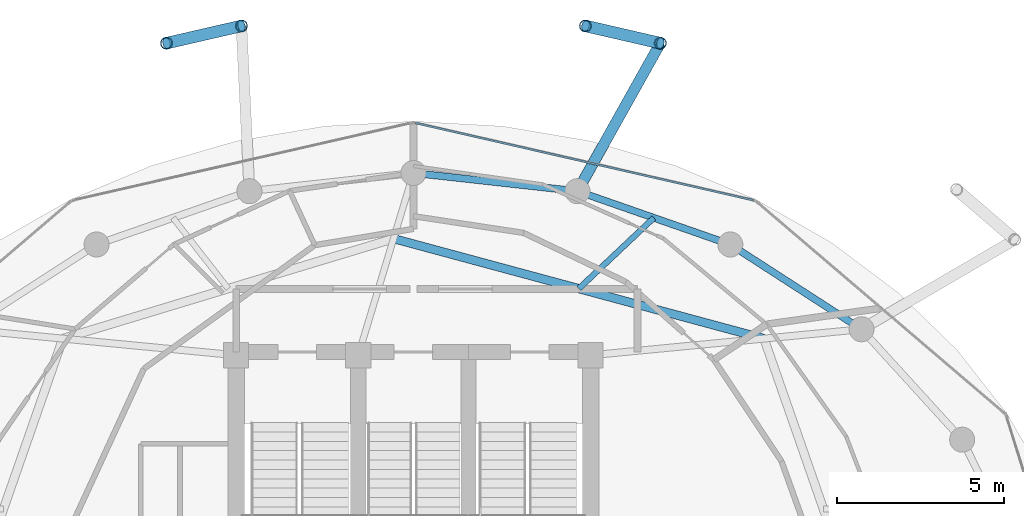
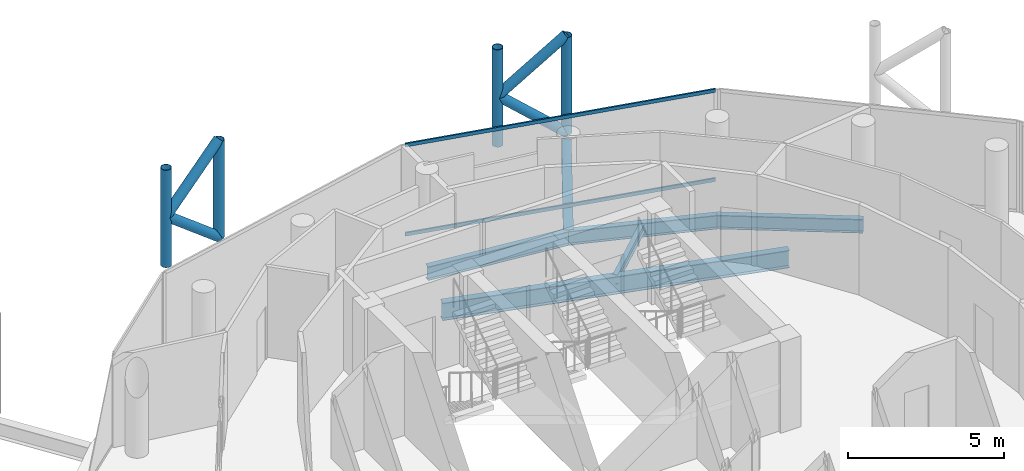
# One storey, part 17 of 24: 10 members, 6 beams, 1 element without a shape of its own.
"""IFC4 building model written with IfcOpenShell, lengths in metres."""

import ifcopenshell
import ifcopenshell.guid

model = None  # the IFC model being written
_history = None  # IfcOwnerHistory: only IFC2X3 demands one
_inside = {}  # id of a spatial element -> (the spatial element, [elements in it])
_under = {}  # id of a project, library or spatial element -> (it, [spatial elements below it])
_declared = {}  # id of a project -> (the project, [libraries it declares])
_typed = {}  # id of a type object -> (the type object, [elements of that type])
_made_of = {}  # id of a material, layer set ... -> (it, [elements and type objects made of it])


def new_model(schema):
    """Start an empty IFC model of exactly this schema.

    Asked for "IFC4X3", IfcOpenShell would pick the latest addendum, in which some entities
    have other attributes; the version numbers below select the first issue.
    IFC2X3 requires an IfcOwnerHistory on every rooted entity: one is made here for all.
    """
    global model, _history
    if schema == "IFC4X3":
        model = ifcopenshell.file(schema_version=(4, 3, 0, 0))
    else:
        model = ifcopenshell.file(schema=schema)
    _inside.clear()
    _under.clear()
    _declared.clear()
    _typed.clear()
    _made_of.clear()
    _history = None
    if model.schema == "IFC2X3":
        org = make("IfcOrganization", Name="unknown")
        user = make(
            "IfcPersonAndOrganization",
            ThePerson=make("IfcPerson", FamilyName="unknown"),
            TheOrganization=org,
        )
        app = make(
            "IfcApplication",
            ApplicationDeveloper=org,
            Version="unknown",
            ApplicationFullName="unknown",
            ApplicationIdentifier="unknown",
        )
        _history = make(
            "IfcOwnerHistory",
            OwningUser=user,
            OwningApplication=app,
            ChangeAction="ADDED",
            CreationDate=0,
        )
    return model


def make(cls, **values):
    """One entity of the class cls with the attributes given. An attribute that is None is left unset."""
    return model.create_entity(
        cls, **{name: value for name, value in values.items() if value is not None}
    )


def rooted(cls, **values):
    """An entity with a GlobalId (a new one), such as an element, a storey or a relation."""
    return make(cls, GlobalId=ifcopenshell.guid.new(), OwnerHistory=_history, **values)


def si_unit(unit_type, name, prefix=None):
    """IfcSIUnit, for example si_unit("LENGTHUNIT", "METRE", prefix="MILLI")."""
    return make("IfcSIUnit", UnitType=unit_type, Prefix=prefix, Name=name)


def assignment(units):
    """IfcUnitAssignment: the units of a project."""
    return None if units is None else make("IfcUnitAssignment", Units=units)


def point(xyz):
    """IfcCartesianPoint."""
    return None if xyz is None else make("IfcCartesianPoint", Coordinates=xyz)


def direction(xyz):
    """IfcDirection."""
    return None if xyz is None else make("IfcDirection", DirectionRatios=xyz)


def frame(location, z_axis=None, x_axis=None):
    """IfcAxis2Placement3D, a coordinate frame: its origin and axes. An axis left out is left unset."""
    return make(
        "IfcAxis2Placement3D",
        Location=point(location),
        Axis=direction(z_axis),
        RefDirection=direction(x_axis),
    )


def frame_2d(location, x_axis=None):
    """IfcAxis2Placement2D, a coordinate frame in the plane: its origin and x axis."""
    return make(
        "IfcAxis2Placement2D", Location=point(location), RefDirection=direction(x_axis)
    )


def origin():
    """The frame at (0, 0, 0) with its axes left unset."""
    return frame((0.0, 0.0, 0.0))


def origin_2d():
    """The frame at (0, 0) in the plane with its x axis left unset."""
    return frame_2d((0.0, 0.0))


def place(relative_to, where):
    """IfcLocalPlacement: puts the frame where relative to a parent placement (None: the world)."""
    return make(
        "IfcLocalPlacement", PlacementRelTo=relative_to, RelativePlacement=where
    )


def context(
    kind, dimensions, precision=None, world=None, true_north=None, identifier=None
):
    """IfcGeometricRepresentationContext, for example the 3D "Model" context."""
    return make(
        "IfcGeometricRepresentationContext",
        ContextIdentifier=identifier,
        ContextType=kind,
        CoordinateSpaceDimension=dimensions,
        Precision=precision,
        WorldCoordinateSystem=world,
        TrueNorth=true_north,
    )


def subcontext(parent, identifier, kind, view, scale=None):
    """IfcGeometricRepresentationSubContext, for example "Body" below "Model"."""
    return make(
        "IfcGeometricRepresentationSubContext",
        ContextIdentifier=identifier,
        ContextType=kind,
        ParentContext=parent,
        TargetScale=scale,
        TargetView=view,
    )


def project(units=None, contexts=None):
    """IfcProject with its units and contexts."""
    return rooted(
        "IfcProject",
        Name="project",
        RepresentationContexts=contexts,
        UnitsInContext=assignment(units),
    )


def spatial(cls, under=None, at=None, **own):
    """A site, building, storey or space (cls), placed at a placement, below another one or the project."""
    s = rooted(cls, ObjectPlacement=at, **own)
    if under is not None:
        _under.setdefault(under.id(), (under, []))[1].append(s)
    return s


def profile(cls, at=None, kind="AREA", **sizes):
    """A parametric profile (cls). Its sizes go by their IFC names, for example OverallWidth=200.0."""
    return make(cls, ProfileType=kind, Position=at, **sizes)


def hollow_rectangle(**sizes):
    """IfcRectangleHollowProfileDef."""
    return profile("IfcRectangleHollowProfileDef", **sizes)


def hollow_circle(**sizes):
    """IfcCircleHollowProfileDef."""
    return profile("IfcCircleHollowProfileDef", **sizes)


def i_section(**sizes):
    """IfcIShapeProfileDef."""
    return profile("IfcIShapeProfileDef", **sizes)


def extrude(swept, where, along, depth):
    """IfcExtrudedAreaSolid: the profile swept, set in the frame where, extruded along a direction by depth."""
    return make(
        "IfcExtrudedAreaSolid",
        SweptArea=swept,
        Position=where,
        ExtrudedDirection=direction(along),
        Depth=depth,
    )


def shape(context_of_items, identifier, shape_type, items):
    """IfcShapeRepresentation: the items that make up one representation, for example the "Body"."""
    return make(
        "IfcShapeRepresentation",
        ContextOfItems=context_of_items,
        RepresentationIdentifier=identifier,
        RepresentationType=shape_type,
        Items=items,
    )


def material(Name=None, Category=None):
    """IfcMaterial."""
    return make("IfcMaterial", Name=Name, Category=Category)


def layer(
    of_material, thickness, ventilated=None, Name=None, Category=None, Priority=None
):
    """IfcMaterialLayer: one layer of a wall or slab, of a material (None: an air gap)."""
    return make(
        "IfcMaterialLayer",
        Material=of_material,
        LayerThickness=thickness,
        IsVentilated=ventilated,
        Name=Name,
        Category=Category,
        Priority=Priority,
    )


def layer_set(layers, Name=None):
    """IfcMaterialLayerSet."""
    return make("IfcMaterialLayerSet", MaterialLayers=layers, LayerSetName=Name)


def material_profile(
    of_material, cross_section, Name=None, Category=None, Priority=None
):
    """IfcMaterialProfile: a cross section and its material."""
    return make(
        "IfcMaterialProfile",
        Name=Name,
        Material=of_material,
        Profile=cross_section,
        Priority=Priority,
        Category=Category,
    )


def profile_set(profiles, Name=None, composite=None):
    """IfcMaterialProfileSet."""
    return make(
        "IfcMaterialProfileSet",
        Name=Name,
        MaterialProfiles=profiles,
        CompositeProfile=composite,
    )


def made_of(thing, what):
    """Note that an element or type object is made of a material, layer set ...; save() writes the relation."""
    if what is not None:
        _made_of.setdefault(what.id(), (what, []))[1].append(thing)
    return thing


def type_object(cls, material=None, **own):
    """A type object (cls), such as IfcWallType, which elements share."""
    return made_of(rooted(cls, **own), material)


def element(
    cls,
    number,
    at=None,
    inside=None,
    cuts=None,
    type_object=None,
    material=None,
    context=None,
    identifier="Body",
    shape_type=None,
    held_by="IfcProductDefinitionShape",
    body=None,
    shapes=None,
    **own,
):
    """One element of the class cls, such as IfcWall. Its Tag is "e" and its number.

    at: its placement. inside: the storey or other place that contains it. cuts: it is an
    opening in that element (IfcRelVoidsElement). A single representation is given by context,
    identifier, shape_type and body (its items); several are given by shapes. held_by: the class
    of the entity that holds the representations. save() writes the other relations.
    """
    e = rooted(cls, Tag="e%d" % number, ObjectPlacement=at, **own)
    if body is not None:
        shapes = [shape(context, identifier, shape_type, body)]
    if shapes is not None:
        e.Representation = make(held_by, Representations=shapes)
    if inside is not None:
        _inside.setdefault(inside.id(), (inside, []))[1].append(e)
    if cuts is not None:
        rooted(
            "IfcRelVoidsElement", RelatingBuildingElement=cuts, RelatedOpeningElement=e
        )
    if type_object is not None:
        _typed.setdefault(type_object.id(), (type_object, []))[1].append(e)
    return made_of(e, material)


def aggregate(whole, parts):
    """IfcRelAggregates: a whole, such as a stair, and the parts it consists of."""
    return rooted("IfcRelAggregates", RelatingObject=whole, RelatedObjects=parts)


def save(model, path):
    """Write the relations noted so far, then the file.

    IfcRelAggregates (storeys below a building ...), IfcRelContainedInSpatialStructure (elements
    in a storey), IfcRelDefinesByType, IfcRelAssociatesMaterial and IfcRelDeclares: one each for
    every whole, place, type object, material and project.
    """
    for whole, parts in _under.values():
        aggregate(whole, parts)
    for where, things in _inside.values():
        rooted(
            "IfcRelContainedInSpatialStructure",
            RelatedElements=things,
            RelatingStructure=where,
        )
    for kind, things in _typed.values():
        rooted("IfcRelDefinesByType", RelatedObjects=things, RelatingType=kind)
    for what, things in _made_of.values():
        rooted("IfcRelAssociatesMaterial", RelatedObjects=things, RelatingMaterial=what)
    for by, libraries in _declared.values():
        rooted("IfcRelDeclares", RelatingContext=by, RelatedDefinitions=libraries)
    model.write(path)


model = new_model("IFC4")

# Units and contexts
model_context = context("Model", 3, precision=1e-05, world=origin(), true_north=direction((0.0, 1.0)))
body_context = subcontext(model_context, "Body", "Model", "MODEL_VIEW")
ifc_project = project(units=[si_unit("LENGTHUNIT", "METRE"), si_unit("AREAUNIT", "SQUARE_METRE"), si_unit("VOLUMEUNIT", "CUBIC_METRE"), si_unit("PLANEANGLEUNIT", "RADIAN"), si_unit("MASSUNIT", "GRAM", prefix="KILO")], contexts=[model_context])

# Site, building, storey
site_placement = place(None, origin())
site = spatial("IfcSite", under=ifc_project, at=site_placement, CompositionType="ELEMENT")
building_placement = place(site_placement, origin())
building = spatial("IfcBuilding", under=site, at=building_placement, Name="Nuhasar Tower", CompositionType="ELEMENT")
storey_placement = place(building_placement, frame((0.0, 0.0, 270.800048828125)))
storey = spatial("IfcBuildingStorey", under=building, at=storey_placement, Name="L67", CompositionType="ELEMENT", Elevation=270.800048828125)

# Beams
ifc_material_1 = material(Name="Steel S355", Category="steel")
ifc_material_profile_1 = material_profile(ifc_material_1, i_section(OverallWidth=0.25390625, OverallDepth=0.68408203125, WebThickness=0.012451171875, FlangeThickness=0.018798828125, at=origin_2d()), Name="W27X94")
ifc_profile_set_1 = profile_set([ifc_material_profile_1], Name="Steel S355")
beam_type_1 = type_object("IfcBeamType", Name="BM-INRING-W27X94", PredefinedType="BEAM", material=ifc_profile_set_1)
beam_1_placement = place(storey_placement, frame((49.48388671875, 37.798095703125, -0.60205078125), z_axis=(-0.965451835482, 0.260581567584, 0.0), x_axis=(-0.260581567584, -0.965451835482, 0.0)))
element("IfcBeam", 1, at=beam_1_placement, inside=storey, type_object=beam_type_1, Name="L67 Inner Header Beam 05", PredefinedType="BEAM", context=body_context, shape_type="SweptSolid", body=[
    extrude(i_section(OverallWidth=0.25390625, OverallDepth=0.68408203125, WebThickness=0.012451171875, FlangeThickness=0.018798828125, at=origin_2d()), origin(), (0.0, 0.0, 1.0), 11.474365234375),
])
ifc_material_profile_2 = material_profile(ifc_material_1, i_section(OverallWidth=0.1708984375, OverallDepth=0.35205078125, WebThickness=0.0068359375, FlangeThickness=0.009765625, at=origin_2d()), Name="W14X30")
ifc_profile_set_2 = profile_set([ifc_material_profile_2], Name="Steel S355")
beam_type_2 = type_object("IfcBeamType", Name="BM-JST-W14X30", PredefinedType="JOIST", material=ifc_profile_set_2)
beam_2_placement = place(storey_placement, frame((43.945068359375, 39.29296875, -0.43603515625), z_axis=(0.727532985224, 0.686072704173, 0.0), x_axis=(-0.686072704173, 0.727532985224, 0.0)))
element("IfcBeam", 2, at=beam_2_placement, inside=storey, type_object=beam_type_2, Name="L67 Secondary Floor Joist 05", PredefinedType="JOIST", context=body_context, shape_type="SweptSolid", body=[
    extrude(i_section(OverallWidth=0.1708984375, OverallDepth=0.35205078125, WebThickness=0.0068359375, FlangeThickness=0.009765625, at=origin_2d()), origin(), (0.0, 0.0, 1.0), 3.085693359375),
])
ifc_material_profile_3 = material_profile(ifc_material_1, i_section(OverallWidth=0.2099609375, OverallDepth=0.537109375, WebThickness=0.010986328125, FlangeThickness=0.017333984375, at=origin_2d()), Name="W21X68")
ifc_profile_set_3 = profile_set([ifc_material_profile_3], Name="Steel S355")
beam_type_3 = type_object("IfcBeamType", Name="BM-RING-W21X68", PredefinedType="SPANDREL", material=ifc_profile_set_3)
beam_3_placement = place(storey_placement, frame((52.39990234375, 38.077880859375, -0.528076171875), z_axis=(-0.840001671147, 0.54258381147, 0.0), x_axis=(-0.54258381147, -0.840001671147, 0.0)))
element("IfcBeam", 3, at=beam_3_placement, inside=storey, type_object=beam_type_3, Name="L67 Perimeter Ring Spandrel 04", PredefinedType="SPANDREL", context=body_context, shape_type="SweptSolid", body=[
    extrude(i_section(OverallWidth=0.2099609375, OverallDepth=0.537109375, WebThickness=0.010986328125, FlangeThickness=0.017333984375, at=origin_2d()), origin(), (0.0, 0.0, 1.0), 4.67236328125),
])
beam_4_placement = place(storey_placement, frame((48.47509765625, 40.613037109375, -0.528076171875), z_axis=(-0.944214043504, 0.329332415729, 0.0), x_axis=(-0.329332415729, -0.944214043504, 0.0)))
element("IfcBeam", 4, at=beam_4_placement, inside=storey, type_object=beam_type_3, Name="L67 Perimeter Ring Spandrel 05", PredefinedType="SPANDREL", context=body_context, shape_type="SweptSolid", body=[
    extrude(i_section(OverallWidth=0.2099609375, OverallDepth=0.537109375, WebThickness=0.010986328125, FlangeThickness=0.017333984375, at=origin_2d()), origin(), (0.0, 0.0, 1.0), 4.840087890625),
])
beam_5_placement = place(storey_placement, frame((43.905029296875, 42.20703125, -0.528076171875), z_axis=(-0.99392889943, 0.110024283128, 0.0), x_axis=(-0.110024283128, -0.99392889943, 0.0)))
element("IfcBeam", 5, at=beam_5_placement, inside=storey, type_object=beam_type_3, Name="L67 Perimeter Ring Spandrel 06", PredefinedType="SPANDREL", context=body_context, shape_type="SweptSolid", body=[
    extrude(i_section(OverallWidth=0.2099609375, OverallDepth=0.537109375, WebThickness=0.010986328125, FlangeThickness=0.017333984375, at=origin_2d()), origin(), (0.0, 0.0, 1.0), 4.93505859375),
])
ifc_material_profile_4 = material_profile(ifc_material_1, i_section(OverallWidth=0.323974609375, OverallDepth=0.611083984375, WebThickness=0.0126953125, FlangeThickness=0.01904296875, at=origin_2d()), Name="W24X104")
ifc_profile_set_4 = profile_set([ifc_material_profile_4], Name="Steel S355")
beam_type_4 = type_object("IfcBeamType", Name="BM-TIE-W24X104", PredefinedType="BEAM", material=ifc_profile_set_4)
beam_6_placement = place(storey_placement, frame((43.905029296875, 42.20703125, -0.56494140625), z_axis=(0.488667847762, 0.872469904675, 0.0), x_axis=(-0.872469904675, 0.488667847762, 0.0)))
element("IfcBeam", 6, at=beam_6_placement, inside=storey, type_object=beam_type_4, Name="L67 Exoskeleton Node Tie Beam 03", PredefinedType="BEAM", context=body_context, shape_type="SweptSolid", body=[
    extrude(i_section(OverallWidth=0.323974609375, OverallDepth=0.611083984375, WebThickness=0.0126953125, FlangeThickness=0.01904296875, at=origin_2d()), origin(), (0.0, 0.0, 1.0), 5.072998046875),
])

# Curtain wall, members
ifc_material_2 = material(Name="Aluminium 6063-T6", Category="aluminium")
ifc_layer = layer(ifc_material_2, 0.18994140625)
ifc_layer_set = layer_set([ifc_layer], Name="Aluminium 6063-T6")
curtain_wall_type = type_object("IfcCurtainWallType", Name="CW-Z4-PEN", PredefinedType="NOTDEFINED", material=ifc_layer_set)
curtain_wall_placement = place(storey_placement, origin())
curtain_wall = element("IfcCurtainWall", 7, at=curtain_wall_placement, inside=storey, type_object=curtain_wall_type, Name="L67 Unitised Curtain Wall 03", PredefinedType="NOTDEFINED")
ifc_material_profile_5 = material_profile(ifc_material_2, hollow_rectangle(XDim=0.06005859375, YDim=0.135009765625, WallThickness=0.00439453125, at=origin_2d()), Name="CWT-5")
ifc_profile_set_5 = profile_set([ifc_material_profile_5], Name="Aluminium 6063-T6")
member_type_1 = type_object("IfcMemberType", Name="CW-TRN-S5", PredefinedType="USERDEFINED", material=ifc_profile_set_5)
member_1_placement = place(storey_placement, frame((49.171630859375, 41.934326171875, 0.030029296875), z_axis=(-0.974843752401, 0.222889341163, 0.0), x_axis=(-0.222889341163, -0.974843752401, 0.0)))
member_1 = element("IfcMember", 8, at=member_1_placement, type_object=member_type_1, Name="CW-Z4 transom 1.1", ObjectType="TRANSOM", PredefinedType="USERDEFINED", context=body_context, shape_type="SweptSolid", body=[
    extrude(hollow_rectangle(XDim=0.06005859375, YDim=0.135009765625, WallThickness=0.00439453125, at=origin_2d()), origin(), (0.0, 0.0, 1.0), 10.3740234375),
])
member_2_placement = place(storey_placement, frame((49.171630859375, 41.934326171875, 3.510009765625), z_axis=(-0.974843752401, 0.222889341163, 0.0), x_axis=(-0.222889341163, -0.974843752401, 0.0)))
member_2 = element("IfcMember", 9, at=member_2_placement, type_object=member_type_1, Name="CW-Z4 transom 1.2", ObjectType="TRANSOM", PredefinedType="USERDEFINED", context=body_context, shape_type="SweptSolid", body=[
    extrude(hollow_rectangle(XDim=0.06005859375, YDim=0.135009765625, WallThickness=0.00439453125, at=origin_2d()), origin(), (0.0, 0.0, 1.0), 10.3740234375),
])
aggregate(curtain_wall, [member_1, member_2])

# Members
ifc_material_3 = material(Name="Steel S460", Category="steel")
ifc_material_profile_6 = material_profile(ifc_material_3, hollow_circle(Radius=0.177734375, WallThickness=0.015869140625, at=origin_2d()), Name="HSS355.6X15.9")
ifc_profile_set_6 = profile_set([ifc_material_profile_6], Name="Steel S460")
member_type_2 = type_object("IfcMemberType", Name="EXO-BRONZE-356", PredefinedType="BRACE", material=ifc_profile_set_6)
for number, where, z_axis, x_axis, name in (
    (10, (46.384033203125, 46.633056640625, 0.0), (0.0, 0.0, 1.0), (1.0, 0.0, 0.0), "L67 Exoskeleton Chord Column EC-03A"),
    (11, (44.14306640625, 47.14892578125, 0.0), (0.0, 0.0, 1.0), (1.0, 0.0, 0.0), "L67 Exoskeleton Chord Column EC-03B"),
    (12, (33.85693359375, 47.14892578125, 0.0), (0.0, 0.0, 1.0), (1.0, 0.0, 0.0), "L67 Exoskeleton Chord Column EC-04A"),
    (13, (31.615966796875, 46.633056640625, 0.0), (0.0, 0.0, 1.0), (1.0, 0.0, 0.0), "L67 Exoskeleton Chord Column EC-04B"),
):
    element("IfcMember", number, at=place(storey_placement, frame(where, z_axis=z_axis, x_axis=x_axis)), inside=storey, type_object=member_type_2, Name=name, PredefinedType="BRACE", context=body_context, shape_type="SweptSolid", body=[
        extrude(hollow_circle(Radius=0.177734375, WallThickness=0.015869140625, at=origin_2d()), origin(), (0.0, 0.0, 1.0), 3.800048828125),
    ])
member_3_placement = place(storey_placement, frame((46.384033203125, 46.633056640625, 0.0), z_axis=(-0.751271614502, 0.172942250947, 0.636931659663), x_axis=(-0.224332214284, -0.974512728308, 0.0)))
element("IfcMember", 14, at=member_3_placement, inside=storey, type_object=member_type_2, Name="L67 Bronze Diagrid Brace W1-03", PredefinedType="BRACE", context=body_context, shape_type="SweptSolid", body=[
    extrude(hollow_circle(Radius=0.177734375, WallThickness=0.015869140625, at=origin_2d()), origin(), (0.0, 0.0, 1.0), 2.98291015625),
])
member_4_placement = place(storey_placement, frame((44.14306640625, 47.14892578125, 1.89990234375), z_axis=(0.751232450652, -0.172933235454, 0.636980298881), x_axis=(0.224332214284, 0.974512728308, 0.0)))
element("IfcMember", 15, at=member_4_placement, inside=storey, type_object=member_type_2, Name="L67 Bronze Diagrid Brace W2-03", PredefinedType="BRACE", context=body_context, shape_type="SweptSolid", body=[
    extrude(hollow_circle(Radius=0.177734375, WallThickness=0.015869140625, at=origin_2d()), origin(), (0.0, 0.0, 1.0), 2.983154296875),
])
member_5_placement = place(storey_placement, frame((33.85693359375, 47.14892578125, 0.0), z_axis=(-0.751271614502, -0.172942250947, 0.636931659663), x_axis=(0.224332214284, -0.974512728308, 0.0)))
element("IfcMember", 16, at=member_5_placement, inside=storey, type_object=member_type_2, Name="L67 Bronze Diagrid Brace W1-04", PredefinedType="BRACE", context=body_context, shape_type="SweptSolid", body=[
    extrude(hollow_circle(Radius=0.177734375, WallThickness=0.015869140625, at=origin_2d()), origin(), (0.0, 0.0, 1.0), 2.98291015625),
])
member_6_placement = place(storey_placement, frame((31.615966796875, 46.633056640625, 1.89990234375), z_axis=(0.751232450652, 0.172933235454, 0.636980298881), x_axis=(-0.224332214284, 0.974512728308, 0.0)))
element("IfcMember", 17, at=member_6_placement, inside=storey, type_object=member_type_2, Name="L67 Bronze Diagrid Brace W2-04", PredefinedType="BRACE", context=body_context, shape_type="SweptSolid", body=[
    extrude(hollow_circle(Radius=0.177734375, WallThickness=0.015869140625, at=origin_2d()), origin(), (0.0, 0.0, 1.0), 2.983154296875),
])

save(model, "model.ifc")
